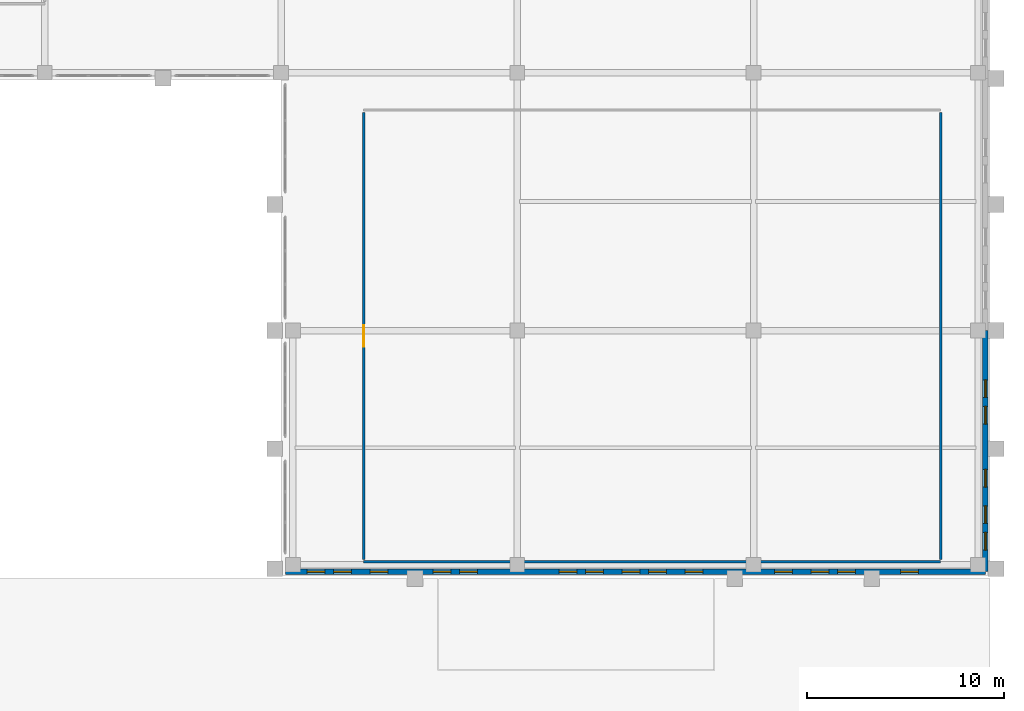
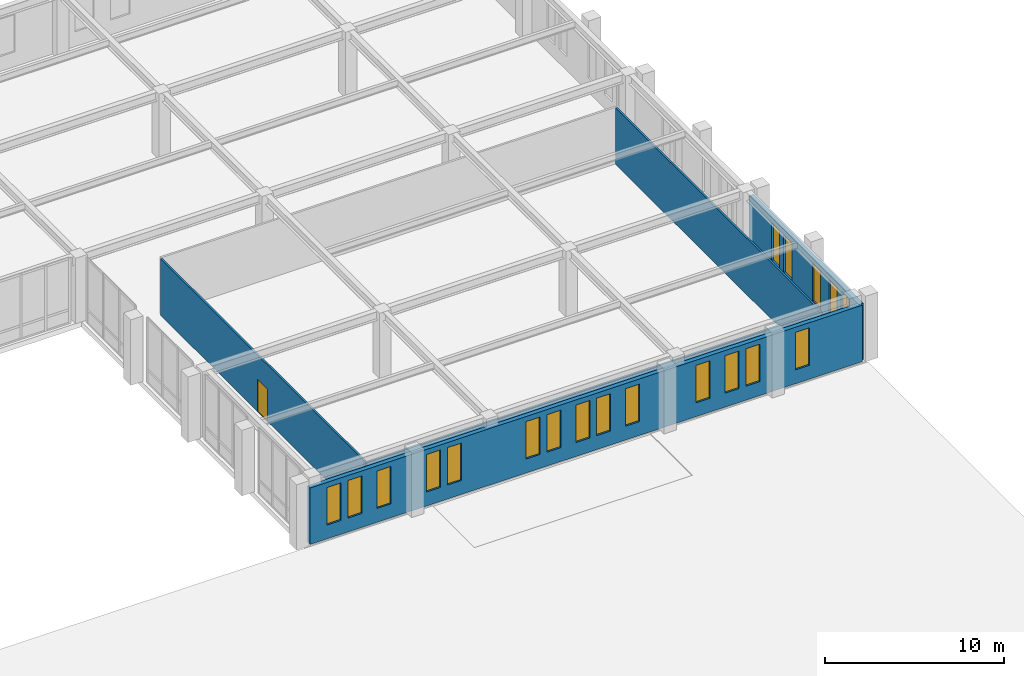
# One storey, part 63 of 79: 19 windows, 5 walls, 1 door, 20 openings.
"""IFC4 building model written with IfcOpenShell, lengths in metres."""

import ifcopenshell
import ifcopenshell.guid

model = None  # the IFC model being written
_history = None  # IfcOwnerHistory: only IFC2X3 demands one
_inside = {}  # id of a spatial element -> (the spatial element, [elements in it])
_under = {}  # id of a project, library or spatial element -> (it, [spatial elements below it])
_declared = {}  # id of a project -> (the project, [libraries it declares])
_typed = {}  # id of a type object -> (the type object, [elements of that type])
_made_of = {}  # id of a material, layer set ... -> (it, [elements and type objects made of it])


def new_model(schema):
    """Start an empty IFC model of exactly this schema.

    Asked for "IFC4X3", IfcOpenShell would pick the latest addendum, in which some entities
    have other attributes; the version numbers below select the first issue.
    IFC2X3 requires an IfcOwnerHistory on every rooted entity: one is made here for all.
    """
    global model, _history
    if schema == "IFC4X3":
        model = ifcopenshell.file(schema_version=(4, 3, 0, 0))
    else:
        model = ifcopenshell.file(schema=schema)
    _inside.clear()
    _under.clear()
    _declared.clear()
    _typed.clear()
    _made_of.clear()
    _history = None
    if model.schema == "IFC2X3":
        org = make("IfcOrganization", Name="unknown")
        user = make(
            "IfcPersonAndOrganization",
            ThePerson=make("IfcPerson", FamilyName="unknown"),
            TheOrganization=org,
        )
        app = make(
            "IfcApplication",
            ApplicationDeveloper=org,
            Version="unknown",
            ApplicationFullName="unknown",
            ApplicationIdentifier="unknown",
        )
        _history = make(
            "IfcOwnerHistory",
            OwningUser=user,
            OwningApplication=app,
            ChangeAction="ADDED",
            CreationDate=0,
        )
    return model


def make(cls, **values):
    """One entity of the class cls with the attributes given. An attribute that is None is left unset."""
    return model.create_entity(
        cls, **{name: value for name, value in values.items() if value is not None}
    )


def rooted(cls, **values):
    """An entity with a GlobalId (a new one), such as an element, a storey or a relation."""
    return make(cls, GlobalId=ifcopenshell.guid.new(), OwnerHistory=_history, **values)


def si_unit(unit_type, name, prefix=None):
    """IfcSIUnit, for example si_unit("LENGTHUNIT", "METRE", prefix="MILLI")."""
    return make("IfcSIUnit", UnitType=unit_type, Prefix=prefix, Name=name)


def derived_unit(unit_type, elements):
    """IfcDerivedUnit: a product of units, each with its exponent."""
    return make(
        "IfcDerivedUnit",
        Elements=[
            make("IfcDerivedUnitElement", Unit=unit, Exponent=power)
            for unit, power in elements
        ],
        UnitType=unit_type,
    )


def assignment(units):
    """IfcUnitAssignment: the units of a project."""
    return None if units is None else make("IfcUnitAssignment", Units=units)


def point(xyz):
    """IfcCartesianPoint."""
    return None if xyz is None else make("IfcCartesianPoint", Coordinates=xyz)


def direction(xyz):
    """IfcDirection."""
    return None if xyz is None else make("IfcDirection", DirectionRatios=xyz)


def frame(location, z_axis=None, x_axis=None):
    """IfcAxis2Placement3D, a coordinate frame: its origin and axes. An axis left out is left unset."""
    return make(
        "IfcAxis2Placement3D",
        Location=point(location),
        Axis=direction(z_axis),
        RefDirection=direction(x_axis),
    )


def frame_2d(location, x_axis=None):
    """IfcAxis2Placement2D, a coordinate frame in the plane: its origin and x axis."""
    return make(
        "IfcAxis2Placement2D", Location=point(location), RefDirection=direction(x_axis)
    )


def origin():
    """The frame at (0, 0, 0) with its axes left unset."""
    return frame((0.0, 0.0, 0.0))


def place(relative_to, where):
    """IfcLocalPlacement: puts the frame where relative to a parent placement (None: the world)."""
    return make(
        "IfcLocalPlacement", PlacementRelTo=relative_to, RelativePlacement=where
    )


def context(
    kind, dimensions, precision=None, world=None, true_north=None, identifier=None
):
    """IfcGeometricRepresentationContext, for example the 3D "Model" context."""
    return make(
        "IfcGeometricRepresentationContext",
        ContextIdentifier=identifier,
        ContextType=kind,
        CoordinateSpaceDimension=dimensions,
        Precision=precision,
        WorldCoordinateSystem=world,
        TrueNorth=true_north,
    )


def subcontext(parent, identifier, kind, view, scale=None):
    """IfcGeometricRepresentationSubContext, for example "Body" below "Model"."""
    return make(
        "IfcGeometricRepresentationSubContext",
        ContextIdentifier=identifier,
        ContextType=kind,
        ParentContext=parent,
        TargetScale=scale,
        TargetView=view,
    )


def project(units=None, contexts=None):
    """IfcProject with its units and contexts."""
    return rooted(
        "IfcProject",
        Name="project",
        RepresentationContexts=contexts,
        UnitsInContext=assignment(units),
    )


def spatial(cls, under=None, at=None, **own):
    """A site, building, storey or space (cls), placed at a placement, below another one or the project."""
    s = rooted(cls, ObjectPlacement=at, **own)
    if under is not None:
        _under.setdefault(under.id(), (under, []))[1].append(s)
    return s


def profile(cls, at=None, kind="AREA", **sizes):
    """A parametric profile (cls). Its sizes go by their IFC names, for example OverallWidth=200.0."""
    return make(cls, ProfileType=kind, Position=at, **sizes)


def rectangle(**sizes):
    """IfcRectangleProfileDef."""
    return profile("IfcRectangleProfileDef", **sizes)


def extrude(swept, where, along, depth):
    """IfcExtrudedAreaSolid: the profile swept, set in the frame where, extruded along a direction by depth."""
    return make(
        "IfcExtrudedAreaSolid",
        SweptArea=swept,
        Position=where,
        ExtrudedDirection=direction(along),
        Depth=depth,
    )


def shape(context_of_items, identifier, shape_type, items):
    """IfcShapeRepresentation: the items that make up one representation, for example the "Body"."""
    return make(
        "IfcShapeRepresentation",
        ContextOfItems=context_of_items,
        RepresentationIdentifier=identifier,
        RepresentationType=shape_type,
        Items=items,
    )


def material(Name=None, Category=None):
    """IfcMaterial."""
    return make("IfcMaterial", Name=Name, Category=Category)


def layer(
    of_material, thickness, ventilated=None, Name=None, Category=None, Priority=None
):
    """IfcMaterialLayer: one layer of a wall or slab, of a material (None: an air gap)."""
    return make(
        "IfcMaterialLayer",
        Material=of_material,
        LayerThickness=thickness,
        IsVentilated=ventilated,
        Name=Name,
        Category=Category,
        Priority=Priority,
    )


def layer_set(layers, Name=None):
    """IfcMaterialLayerSet."""
    return make("IfcMaterialLayerSet", MaterialLayers=layers, LayerSetName=Name)


def made_of(thing, what):
    """Note that an element or type object is made of a material, layer set ...; save() writes the relation."""
    if what is not None:
        _made_of.setdefault(what.id(), (what, []))[1].append(thing)
    return thing


def type_object(cls, material=None, **own):
    """A type object (cls), such as IfcWallType, which elements share."""
    return made_of(rooted(cls, **own), material)


def element(
    cls,
    number,
    at=None,
    inside=None,
    cuts=None,
    type_object=None,
    material=None,
    context=None,
    identifier="Body",
    shape_type=None,
    held_by="IfcProductDefinitionShape",
    body=None,
    shapes=None,
    **own,
):
    """One element of the class cls, such as IfcWall. Its Tag is "e" and its number.

    at: its placement. inside: the storey or other place that contains it. cuts: it is an
    opening in that element (IfcRelVoidsElement). A single representation is given by context,
    identifier, shape_type and body (its items); several are given by shapes. held_by: the class
    of the entity that holds the representations. save() writes the other relations.
    """
    e = rooted(cls, Tag="e%d" % number, ObjectPlacement=at, **own)
    if body is not None:
        shapes = [shape(context, identifier, shape_type, body)]
    if shapes is not None:
        e.Representation = make(held_by, Representations=shapes)
    if inside is not None:
        _inside.setdefault(inside.id(), (inside, []))[1].append(e)
    if cuts is not None:
        rooted(
            "IfcRelVoidsElement", RelatingBuildingElement=cuts, RelatedOpeningElement=e
        )
    if type_object is not None:
        _typed.setdefault(type_object.id(), (type_object, []))[1].append(e)
    return made_of(e, material)


def fill(opening, filler):
    """IfcRelFillsElement: the door or window that sits in an opening."""
    return rooted(
        "IfcRelFillsElement",
        RelatingOpeningElement=opening,
        RelatedBuildingElement=filler,
    )


def aggregate(whole, parts):
    """IfcRelAggregates: a whole, such as a stair, and the parts it consists of."""
    return rooted("IfcRelAggregates", RelatingObject=whole, RelatedObjects=parts)


def save(model, path):
    """Write the relations noted so far, then the file.

    IfcRelAggregates (storeys below a building ...), IfcRelContainedInSpatialStructure (elements
    in a storey), IfcRelDefinesByType, IfcRelAssociatesMaterial and IfcRelDeclares: one each for
    every whole, place, type object, material and project.
    """
    for whole, parts in _under.values():
        aggregate(whole, parts)
    for where, things in _inside.values():
        rooted(
            "IfcRelContainedInSpatialStructure",
            RelatedElements=things,
            RelatingStructure=where,
        )
    for kind, things in _typed.values():
        rooted("IfcRelDefinesByType", RelatedObjects=things, RelatingType=kind)
    for what, things in _made_of.values():
        rooted("IfcRelAssociatesMaterial", RelatedObjects=things, RelatingMaterial=what)
    for by, libraries in _declared.values():
        rooted("IfcRelDeclares", RelatingContext=by, RelatedDefinitions=libraries)
    model.write(path)


model = new_model("IFC4")

# Units and contexts
model_context = context("Model", 3, precision=1e-05, world=origin(), true_north=direction((0.0, 1.0)))
body_context = subcontext(model_context, "Body", "Model", "MODEL_VIEW")
ifc_project = project(units=[si_unit("LENGTHUNIT", "METRE"), si_unit("AREAUNIT", "SQUARE_METRE"), si_unit("VOLUMEUNIT", "CUBIC_METRE"), si_unit("PLANEANGLEUNIT", "RADIAN"), si_unit("MASSUNIT", "GRAM", prefix="KILO"), derived_unit("THERMALTRANSMITTANCEUNIT", [(si_unit("MASSUNIT", "GRAM", prefix="KILO"), 1), (si_unit("TIMEUNIT", "SECOND"), -3), (si_unit("THERMODYNAMICTEMPERATUREUNIT", "KELVIN"), -1)])], contexts=[model_context])

# Site, building, storey
site_placement = place(None, origin())
site = spatial("IfcSite", under=ifc_project, at=site_placement, CompositionType="ELEMENT")
building_placement = place(site_placement, origin())
building = spatial("IfcBuilding", under=site, at=building_placement, Name="Valcora Ridge Arena", CompositionType="ELEMENT")
storey_placement = place(building_placement, frame((0.0, 0.0, 16.199951171875)))
storey = spatial("IfcBuildingStorey", under=building, at=storey_placement, Name="L03", CompositionType="ELEMENT", Elevation=16.199951171875)

# Wall, openings, windows
ifc_material_1 = material(Name="Bush-hammered Andean travertine on concrete backup C40/50", Category="masonry")
ifc_layer_1 = layer(ifc_material_1, 0.280029296875, Name="Bush-hammered Andean travertine on concrete backup C40/50")
ifc_layer_set_1 = layer_set([ifc_layer_1], Name="Bush-hammered Andean travertine on concrete backup C40/50")
wall_type_1 = type_object("IfcWallType", Name="TY-WALL-EW-TRV-28-38", PredefinedType="STANDARD", material=ifc_layer_set_1)
wall_1_placement = place(storey_placement, frame((191.780029296875, 83.35009765625, 0.0), z_axis=(0.0, 0.0, 1.0), x_axis=(0.0, 1.0, 0.0)))
wall_1 = element("IfcWall", 1, at=wall_1_placement, inside=storey, type_object=wall_type_1, Name="EW-TRV-28-38 WAL-EW-0208", PredefinedType="STANDARD", context=body_context, shape_type="SweptSolid", body=[
    extrude(rectangle(XDim=12.25, YDim=0.280029296875, at=frame_2d((6.125, 0.0))), origin(), (0.0, 0.0, 1.0), 3.84814453125),
])
opening_1_placement = place(wall_1_placement, frame((1.10009765625, 0.0, 0.949951171875)))
opening_1 = element("IfcOpeningElement", 2, at=opening_1_placement, cuts=wall_1, Name="Opening W-GLAN-90X255", PredefinedType="OPENING", context=body_context, shape_type="SweptSolid", body=[
    extrude(rectangle(XDim=0.89990234375, YDim=2.550048828125, at=frame_2d((0.449951171875, 1.27490234375))), frame((0.0, 0.14990234375, 0.0), z_axis=(0.0, -1.0, 0.0), x_axis=(1.0, 0.0, 0.0)), (0.0, 0.0, 1.0), 0.300048828125),
])
opening_2_placement = place(wall_1_placement, frame((2.449951171875, 0.0, 0.949951171875)))
opening_2 = element("IfcOpeningElement", 3, at=opening_2_placement, cuts=wall_1, Name="Opening W-GLAN-90X255", PredefinedType="OPENING", context=body_context, shape_type="SweptSolid", body=[
    extrude(rectangle(XDim=0.89990234375, YDim=2.550048828125, at=frame_2d((0.449951171875, 1.27490234375))), frame((0.0, 0.14990234375, 0.0), z_axis=(0.0, -1.0, 0.0), x_axis=(1.0, 0.0, 0.0)), (0.0, 0.0, 1.0), 0.300048828125),
])
opening_3_placement = place(wall_1_placement, frame((4.300048828125, 0.0, 0.949951171875)))
opening_3 = element("IfcOpeningElement", 4, at=opening_3_placement, cuts=wall_1, Name="Opening W-GLAN-90X255", PredefinedType="OPENING", context=body_context, shape_type="SweptSolid", body=[
    extrude(rectangle(XDim=0.89990234375, YDim=2.550048828125, at=frame_2d((0.449951171875, 1.27490234375))), frame((0.0, 0.14990234375, 0.0), z_axis=(0.0, -1.0, 0.0), x_axis=(1.0, 0.0, 0.0)), (0.0, 0.0, 1.0), 0.300048828125),
])
opening_4_placement = place(wall_1_placement, frame((7.5, 0.0, 0.949951171875)))
opening_4 = element("IfcOpeningElement", 5, at=opening_4_placement, cuts=wall_1, Name="Opening W-GLAN-90X255", PredefinedType="OPENING", context=body_context, shape_type="SweptSolid", body=[
    extrude(rectangle(XDim=0.89990234375, YDim=2.550048828125, at=frame_2d((0.449951171875, 1.27490234375))), frame((0.0, 0.14990234375, 0.0), z_axis=(0.0, -1.0, 0.0), x_axis=(1.0, 0.0, 0.0)), (0.0, 0.0, 1.0), 0.300048828125),
])
opening_5_placement = place(wall_1_placement, frame((8.85009765625, 0.0, 0.949951171875)))
opening_5 = element("IfcOpeningElement", 6, at=opening_5_placement, cuts=wall_1, Name="Opening W-GLAN-90X255", PredefinedType="OPENING", context=body_context, shape_type="SweptSolid", body=[
    extrude(rectangle(XDim=0.89990234375, YDim=2.550048828125, at=frame_2d((0.449951171875, 1.27490234375))), frame((0.0, 0.14990234375, 0.0), z_axis=(0.0, -1.0, 0.0), x_axis=(1.0, 0.0, 0.0)), (0.0, 0.0, 1.0), 0.300048828125),
])
ifc_material_2 = material(Name="Low-iron solar-control double glazing SHGC 0.28", Category="glass")
window_type = type_object("IfcWindowType", Name="TY-WINDOW-W-GLAN-90X255", PartitioningType="DOUBLE_PANEL_VERTICAL", PredefinedType="WINDOW", material=ifc_material_2)
window_1_placement = place(opening_1_placement, origin())
window_1 = element("IfcWindow", 7, at=window_1_placement, inside=storey, type_object=window_type, Name="W-GLAN-90X255 WIN-EX-0627", OverallHeight=2.550048828125, OverallWidth=0.89990234375, PartitioningType="DOUBLE_PANEL_VERTICAL", PredefinedType="WINDOW", context=body_context, shape_type="SweptSolid", body=[
    extrude(rectangle(XDim=0.89990234375, YDim=2.550048828125, at=frame_2d((0.449951171875, 1.27490234375))), frame((0.0, 0.030029296875, 0.0), z_axis=(0.0, -1.0, 0.0), x_axis=(1.0, 0.0, 0.0)), (0.0, 0.0, 1.0), 0.06005859375),
])
fill(opening_1, window_1)
window_2_placement = place(opening_2_placement, origin())
window_2 = element("IfcWindow", 8, at=window_2_placement, inside=storey, type_object=window_type, Name="W-GLAN-90X255 WIN-EX-0628", OverallHeight=2.550048828125, OverallWidth=0.89990234375, PartitioningType="DOUBLE_PANEL_VERTICAL", PredefinedType="WINDOW", context=body_context, shape_type="SweptSolid", body=[
    extrude(rectangle(XDim=0.89990234375, YDim=2.550048828125, at=frame_2d((0.449951171875, 1.27490234375))), frame((0.0, 0.030029296875, 0.0), z_axis=(0.0, -1.0, 0.0), x_axis=(1.0, 0.0, 0.0)), (0.0, 0.0, 1.0), 0.06005859375),
])
fill(opening_2, window_2)
window_3_placement = place(opening_3_placement, origin())
window_3 = element("IfcWindow", 9, at=window_3_placement, inside=storey, type_object=window_type, Name="W-GLAN-90X255 WIN-EX-0629", OverallHeight=2.550048828125, OverallWidth=0.89990234375, PartitioningType="DOUBLE_PANEL_VERTICAL", PredefinedType="WINDOW", context=body_context, shape_type="SweptSolid", body=[
    extrude(rectangle(XDim=0.89990234375, YDim=2.550048828125, at=frame_2d((0.449951171875, 1.27490234375))), frame((0.0, 0.030029296875, 0.0), z_axis=(0.0, -1.0, 0.0), x_axis=(1.0, 0.0, 0.0)), (0.0, 0.0, 1.0), 0.06005859375),
])
fill(opening_3, window_3)
window_4_placement = place(opening_4_placement, origin())
window_4 = element("IfcWindow", 10, at=window_4_placement, inside=storey, type_object=window_type, Name="W-GLAN-90X255 WIN-EX-0630", OverallHeight=2.550048828125, OverallWidth=0.89990234375, PartitioningType="DOUBLE_PANEL_VERTICAL", PredefinedType="WINDOW", context=body_context, shape_type="SweptSolid", body=[
    extrude(rectangle(XDim=0.89990234375, YDim=2.550048828125, at=frame_2d((0.449951171875, 1.27490234375))), frame((0.0, 0.030029296875, 0.0), z_axis=(0.0, -1.0, 0.0), x_axis=(1.0, 0.0, 0.0)), (0.0, 0.0, 1.0), 0.06005859375),
])
fill(opening_4, window_4)
window_5_placement = place(opening_5_placement, origin())
window_5 = element("IfcWindow", 11, at=window_5_placement, inside=storey, type_object=window_type, Name="W-GLAN-90X255 WIN-EX-0631", OverallHeight=2.550048828125, OverallWidth=0.89990234375, PartitioningType="DOUBLE_PANEL_VERTICAL", PredefinedType="WINDOW", context=body_context, shape_type="SweptSolid", body=[
    extrude(rectangle(XDim=0.89990234375, YDim=2.550048828125, at=frame_2d((0.449951171875, 1.27490234375))), frame((0.0, 0.030029296875, 0.0), z_axis=(0.0, -1.0, 0.0), x_axis=(1.0, 0.0, 0.0)), (0.0, 0.0, 1.0), 0.06005859375),
])
fill(opening_5, window_5)

wall_2_placement = place(storey_placement, frame((156.219970703125, 83.35009765625, 0.0), z_axis=(0.0, 0.0, 1.0), x_axis=(1.0, 0.0, 0.0)))
wall_2 = element("IfcWall", 12, at=wall_2_placement, inside=storey, type_object=wall_type_1, Name="EW-TRV-28-38 WAL-EW-0221", PredefinedType="STANDARD", context=body_context, shape_type="SweptSolid", body=[
    extrude(rectangle(XDim=35.56005859375, YDim=0.280029296875, at=frame_2d((17.780029296875, 0.0))), origin(), (0.0, 0.0, 1.0), 3.84814453125),
])
opening_6_placement = place(wall_2_placement, frame((1.10009765625, 0.0, 0.949951171875)))
opening_6 = element("IfcOpeningElement", 13, at=opening_6_placement, cuts=wall_2, Name="Opening W-GLAN-90X255", PredefinedType="OPENING", context=body_context, shape_type="SweptSolid", body=[
    extrude(rectangle(XDim=0.89990234375, YDim=2.550048828125, at=frame_2d((0.449951171875, 1.27490234375))), frame((0.0, 0.14990234375, 0.0), z_axis=(0.0, -1.0, 0.0), x_axis=(1.0, 0.0, 0.0)), (0.0, 0.0, 1.0), 0.300048828125),
])
opening_7_placement = place(wall_2_placement, frame((2.449951171875, 0.0, 0.949951171875)))
opening_7 = element("IfcOpeningElement", 14, at=opening_7_placement, cuts=wall_2, Name="Opening W-GLAN-90X255", PredefinedType="OPENING", context=body_context, shape_type="SweptSolid", body=[
    extrude(rectangle(XDim=0.89990234375, YDim=2.550048828125, at=frame_2d((0.449951171875, 1.27490234375))), frame((0.0, 0.14990234375, 0.0), z_axis=(0.0, -1.0, 0.0), x_axis=(1.0, 0.0, 0.0)), (0.0, 0.0, 1.0), 0.300048828125),
])
opening_8_placement = place(wall_2_placement, frame((4.300048828125, 0.0, 0.949951171875)))
opening_8 = element("IfcOpeningElement", 15, at=opening_8_placement, cuts=wall_2, Name="Opening W-GLAN-90X255", PredefinedType="OPENING", context=body_context, shape_type="SweptSolid", body=[
    extrude(rectangle(XDim=0.89990234375, YDim=2.550048828125, at=frame_2d((0.449951171875, 1.27490234375))), frame((0.0, 0.14990234375, 0.0), z_axis=(0.0, -1.0, 0.0), x_axis=(1.0, 0.0, 0.0)), (0.0, 0.0, 1.0), 0.300048828125),
])
opening_9_placement = place(wall_2_placement, frame((7.5, 0.0, 0.949951171875)))
opening_9 = element("IfcOpeningElement", 16, at=opening_9_placement, cuts=wall_2, Name="Opening W-GLAN-90X255", PredefinedType="OPENING", context=body_context, shape_type="SweptSolid", body=[
    extrude(rectangle(XDim=0.89990234375, YDim=2.550048828125, at=frame_2d((0.449951171875, 1.27490234375))), frame((0.0, 0.14990234375, 0.0), z_axis=(0.0, -1.0, 0.0), x_axis=(1.0, 0.0, 0.0)), (0.0, 0.0, 1.0), 0.300048828125),
])
opening_10_placement = place(wall_2_placement, frame((8.85009765625, 0.0, 0.949951171875)))
opening_10 = element("IfcOpeningElement", 17, at=opening_10_placement, cuts=wall_2, Name="Opening W-GLAN-90X255", PredefinedType="OPENING", context=body_context, shape_type="SweptSolid", body=[
    extrude(rectangle(XDim=0.89990234375, YDim=2.550048828125, at=frame_2d((0.449951171875, 1.27490234375))), frame((0.0, 0.14990234375, 0.0), z_axis=(0.0, -1.0, 0.0), x_axis=(1.0, 0.0, 0.0)), (0.0, 0.0, 1.0), 0.300048828125),
])
opening_11_placement = place(wall_2_placement, frame((13.89990234375, 0.0, 0.949951171875)))
opening_11 = element("IfcOpeningElement", 18, at=opening_11_placement, cuts=wall_2, Name="Opening W-GLAN-90X255", PredefinedType="OPENING", context=body_context, shape_type="SweptSolid", body=[
    extrude(rectangle(XDim=0.89990234375, YDim=2.550048828125, at=frame_2d((0.449951171875, 1.27490234375))), frame((0.0, 0.14990234375, 0.0), z_axis=(0.0, -1.0, 0.0), x_axis=(1.0, 0.0, 0.0)), (0.0, 0.0, 1.0), 0.300048828125),
])
opening_12_placement = place(wall_2_placement, frame((15.25, 0.0, 0.949951171875)))
opening_12 = element("IfcOpeningElement", 19, at=opening_12_placement, cuts=wall_2, Name="Opening W-GLAN-90X255", PredefinedType="OPENING", context=body_context, shape_type="SweptSolid", body=[
    extrude(rectangle(XDim=0.89990234375, YDim=2.550048828125, at=frame_2d((0.449951171875, 1.27490234375))), frame((0.0, 0.14990234375, 0.0), z_axis=(0.0, -1.0, 0.0), x_axis=(1.0, 0.0, 0.0)), (0.0, 0.0, 1.0), 0.300048828125),
])
opening_13_placement = place(wall_2_placement, frame((17.10009765625, 0.0, 0.949951171875)))
opening_13 = element("IfcOpeningElement", 20, at=opening_13_placement, cuts=wall_2, Name="Opening W-GLAN-90X255", PredefinedType="OPENING", context=body_context, shape_type="SweptSolid", body=[
    extrude(rectangle(XDim=0.89990234375, YDim=2.550048828125, at=frame_2d((0.449951171875, 1.27490234375))), frame((0.0, 0.14990234375, 0.0), z_axis=(0.0, -1.0, 0.0), x_axis=(1.0, 0.0, 0.0)), (0.0, 0.0, 1.0), 0.300048828125),
])
opening_14_placement = place(wall_2_placement, frame((18.449951171875, 0.0, 0.949951171875)))
opening_14 = element("IfcOpeningElement", 21, at=opening_14_placement, cuts=wall_2, Name="Opening W-GLAN-90X255", PredefinedType="OPENING", context=body_context, shape_type="SweptSolid", body=[
    extrude(rectangle(XDim=0.89990234375, YDim=2.550048828125, at=frame_2d((0.449951171875, 1.27490234375))), frame((0.0, 0.14990234375, 0.0), z_axis=(0.0, -1.0, 0.0), x_axis=(1.0, 0.0, 0.0)), (0.0, 0.0, 1.0), 0.300048828125),
])
opening_15_placement = place(wall_2_placement, frame((20.300048828125, 0.0, 0.949951171875)))
opening_15 = element("IfcOpeningElement", 22, at=opening_15_placement, cuts=wall_2, Name="Opening W-GLAN-90X255", PredefinedType="OPENING", context=body_context, shape_type="SweptSolid", body=[
    extrude(rectangle(XDim=0.89990234375, YDim=2.550048828125, at=frame_2d((0.449951171875, 1.27490234375))), frame((0.0, 0.14990234375, 0.0), z_axis=(0.0, -1.0, 0.0), x_axis=(1.0, 0.0, 0.0)), (0.0, 0.0, 1.0), 0.300048828125),
])
opening_16_placement = place(wall_2_placement, frame((24.85009765625, 0.0, 0.949951171875)))
opening_16 = element("IfcOpeningElement", 23, at=opening_16_placement, cuts=wall_2, Name="Opening W-GLAN-90X255", PredefinedType="OPENING", context=body_context, shape_type="SweptSolid", body=[
    extrude(rectangle(XDim=0.89990234375, YDim=2.550048828125, at=frame_2d((0.449951171875, 1.27490234375))), frame((0.0, 0.14990234375, 0.0), z_axis=(0.0, -1.0, 0.0), x_axis=(1.0, 0.0, 0.0)), (0.0, 0.0, 1.0), 0.300048828125),
])
opening_17_placement = place(wall_2_placement, frame((26.699951171875, 0.0, 0.949951171875)))
opening_17 = element("IfcOpeningElement", 24, at=opening_17_placement, cuts=wall_2, Name="Opening W-GLAN-90X255", PredefinedType="OPENING", context=body_context, shape_type="SweptSolid", body=[
    extrude(rectangle(XDim=0.89990234375, YDim=2.550048828125, at=frame_2d((0.449951171875, 1.27490234375))), frame((0.0, 0.14990234375, 0.0), z_axis=(0.0, -1.0, 0.0), x_axis=(1.0, 0.0, 0.0)), (0.0, 0.0, 1.0), 0.300048828125),
])
opening_18_placement = place(wall_2_placement, frame((28.050048828125, 0.0, 0.949951171875)))
opening_18 = element("IfcOpeningElement", 25, at=opening_18_placement, cuts=wall_2, Name="Opening W-GLAN-90X255", PredefinedType="OPENING", context=body_context, shape_type="SweptSolid", body=[
    extrude(rectangle(XDim=0.89990234375, YDim=2.550048828125, at=frame_2d((0.449951171875, 1.27490234375))), frame((0.0, 0.14990234375, 0.0), z_axis=(0.0, -1.0, 0.0), x_axis=(1.0, 0.0, 0.0)), (0.0, 0.0, 1.0), 0.300048828125),
])
opening_19_placement = place(wall_2_placement, frame((31.25, 0.0, 0.949951171875)))
opening_19 = element("IfcOpeningElement", 26, at=opening_19_placement, cuts=wall_2, Name="Opening W-GLAN-90X255", PredefinedType="OPENING", context=body_context, shape_type="SweptSolid", body=[
    extrude(rectangle(XDim=0.89990234375, YDim=2.550048828125, at=frame_2d((0.449951171875, 1.27490234375))), frame((0.0, 0.14990234375, 0.0), z_axis=(0.0, -1.0, 0.0), x_axis=(1.0, 0.0, 0.0)), (0.0, 0.0, 1.0), 0.300048828125),
])
window_6_placement = place(opening_6_placement, origin())
window_6 = element("IfcWindow", 27, at=window_6_placement, inside=storey, type_object=window_type, Name="W-GLAN-90X255 WIN-EX-0665", OverallHeight=2.550048828125, OverallWidth=0.89990234375, PartitioningType="DOUBLE_PANEL_VERTICAL", PredefinedType="WINDOW", context=body_context, shape_type="SweptSolid", body=[
    extrude(rectangle(XDim=0.89990234375, YDim=2.550048828125, at=frame_2d((0.449951171875, 1.27490234375))), frame((0.0, 0.030029296875, 0.0), z_axis=(0.0, -1.0, 0.0), x_axis=(1.0, 0.0, 0.0)), (0.0, 0.0, 1.0), 0.06005859375),
])
fill(opening_6, window_6)
window_7_placement = place(opening_7_placement, origin())
window_7 = element("IfcWindow", 28, at=window_7_placement, inside=storey, type_object=window_type, Name="W-GLAN-90X255 WIN-EX-0666", OverallHeight=2.550048828125, OverallWidth=0.89990234375, PartitioningType="DOUBLE_PANEL_VERTICAL", PredefinedType="WINDOW", context=body_context, shape_type="SweptSolid", body=[
    extrude(rectangle(XDim=0.89990234375, YDim=2.550048828125, at=frame_2d((0.449951171875, 1.27490234375))), frame((0.0, 0.030029296875, 0.0), z_axis=(0.0, -1.0, 0.0), x_axis=(1.0, 0.0, 0.0)), (0.0, 0.0, 1.0), 0.06005859375),
])
fill(opening_7, window_7)
window_8_placement = place(opening_8_placement, origin())
window_8 = element("IfcWindow", 29, at=window_8_placement, inside=storey, type_object=window_type, Name="W-GLAN-90X255 WIN-EX-0667", OverallHeight=2.550048828125, OverallWidth=0.89990234375, PartitioningType="DOUBLE_PANEL_VERTICAL", PredefinedType="WINDOW", context=body_context, shape_type="SweptSolid", body=[
    extrude(rectangle(XDim=0.89990234375, YDim=2.550048828125, at=frame_2d((0.449951171875, 1.27490234375))), frame((0.0, 0.030029296875, 0.0), z_axis=(0.0, -1.0, 0.0), x_axis=(1.0, 0.0, 0.0)), (0.0, 0.0, 1.0), 0.06005859375),
])
fill(opening_8, window_8)
window_9_placement = place(opening_9_placement, origin())
window_9 = element("IfcWindow", 30, at=window_9_placement, inside=storey, type_object=window_type, Name="W-GLAN-90X255 WIN-EX-0668", OverallHeight=2.550048828125, OverallWidth=0.89990234375, PartitioningType="DOUBLE_PANEL_VERTICAL", PredefinedType="WINDOW", context=body_context, shape_type="SweptSolid", body=[
    extrude(rectangle(XDim=0.89990234375, YDim=2.550048828125, at=frame_2d((0.449951171875, 1.27490234375))), frame((0.0, 0.030029296875, 0.0), z_axis=(0.0, -1.0, 0.0), x_axis=(1.0, 0.0, 0.0)), (0.0, 0.0, 1.0), 0.06005859375),
])
fill(opening_9, window_9)
window_10_placement = place(opening_10_placement, origin())
window_10 = element("IfcWindow", 31, at=window_10_placement, inside=storey, type_object=window_type, Name="W-GLAN-90X255 WIN-EX-0669", OverallHeight=2.550048828125, OverallWidth=0.89990234375, PartitioningType="DOUBLE_PANEL_VERTICAL", PredefinedType="WINDOW", context=body_context, shape_type="SweptSolid", body=[
    extrude(rectangle(XDim=0.89990234375, YDim=2.550048828125, at=frame_2d((0.449951171875, 1.27490234375))), frame((0.0, 0.030029296875, 0.0), z_axis=(0.0, -1.0, 0.0), x_axis=(1.0, 0.0, 0.0)), (0.0, 0.0, 1.0), 0.06005859375),
])
fill(opening_10, window_10)
window_11_placement = place(opening_11_placement, origin())
window_11 = element("IfcWindow", 32, at=window_11_placement, inside=storey, type_object=window_type, Name="W-GLAN-90X255 WIN-EX-0670", OverallHeight=2.550048828125, OverallWidth=0.89990234375, PartitioningType="DOUBLE_PANEL_VERTICAL", PredefinedType="WINDOW", context=body_context, shape_type="SweptSolid", body=[
    extrude(rectangle(XDim=0.89990234375, YDim=2.550048828125, at=frame_2d((0.449951171875, 1.27490234375))), frame((0.0, 0.030029296875, 0.0), z_axis=(0.0, -1.0, 0.0), x_axis=(1.0, 0.0, 0.0)), (0.0, 0.0, 1.0), 0.06005859375),
])
fill(opening_11, window_11)
window_12_placement = place(opening_12_placement, origin())
window_12 = element("IfcWindow", 33, at=window_12_placement, inside=storey, type_object=window_type, Name="W-GLAN-90X255 WIN-EX-0671", OverallHeight=2.550048828125, OverallWidth=0.89990234375, PartitioningType="DOUBLE_PANEL_VERTICAL", PredefinedType="WINDOW", context=body_context, shape_type="SweptSolid", body=[
    extrude(rectangle(XDim=0.89990234375, YDim=2.550048828125, at=frame_2d((0.449951171875, 1.27490234375))), frame((0.0, 0.030029296875, 0.0), z_axis=(0.0, -1.0, 0.0), x_axis=(1.0, 0.0, 0.0)), (0.0, 0.0, 1.0), 0.06005859375),
])
fill(opening_12, window_12)
window_13_placement = place(opening_13_placement, origin())
window_13 = element("IfcWindow", 34, at=window_13_placement, inside=storey, type_object=window_type, Name="W-GLAN-90X255 WIN-EX-0672", OverallHeight=2.550048828125, OverallWidth=0.89990234375, PartitioningType="DOUBLE_PANEL_VERTICAL", PredefinedType="WINDOW", context=body_context, shape_type="SweptSolid", body=[
    extrude(rectangle(XDim=0.89990234375, YDim=2.550048828125, at=frame_2d((0.449951171875, 1.27490234375))), frame((0.0, 0.030029296875, 0.0), z_axis=(0.0, -1.0, 0.0), x_axis=(1.0, 0.0, 0.0)), (0.0, 0.0, 1.0), 0.06005859375),
])
fill(opening_13, window_13)
window_14_placement = place(opening_14_placement, origin())
window_14 = element("IfcWindow", 35, at=window_14_placement, inside=storey, type_object=window_type, Name="W-GLAN-90X255 WIN-EX-0673", OverallHeight=2.550048828125, OverallWidth=0.89990234375, PartitioningType="DOUBLE_PANEL_VERTICAL", PredefinedType="WINDOW", context=body_context, shape_type="SweptSolid", body=[
    extrude(rectangle(XDim=0.89990234375, YDim=2.550048828125, at=frame_2d((0.449951171875, 1.27490234375))), frame((0.0, 0.030029296875, 0.0), z_axis=(0.0, -1.0, 0.0), x_axis=(1.0, 0.0, 0.0)), (0.0, 0.0, 1.0), 0.06005859375),
])
fill(opening_14, window_14)
window_15_placement = place(opening_15_placement, origin())
window_15 = element("IfcWindow", 36, at=window_15_placement, inside=storey, type_object=window_type, Name="W-GLAN-90X255 WIN-EX-0674", OverallHeight=2.550048828125, OverallWidth=0.89990234375, PartitioningType="DOUBLE_PANEL_VERTICAL", PredefinedType="WINDOW", context=body_context, shape_type="SweptSolid", body=[
    extrude(rectangle(XDim=0.89990234375, YDim=2.550048828125, at=frame_2d((0.449951171875, 1.27490234375))), frame((0.0, 0.030029296875, 0.0), z_axis=(0.0, -1.0, 0.0), x_axis=(1.0, 0.0, 0.0)), (0.0, 0.0, 1.0), 0.06005859375),
])
fill(opening_15, window_15)
window_16_placement = place(opening_16_placement, origin())
window_16 = element("IfcWindow", 37, at=window_16_placement, inside=storey, type_object=window_type, Name="W-GLAN-90X255 WIN-EX-0675", OverallHeight=2.550048828125, OverallWidth=0.89990234375, PartitioningType="DOUBLE_PANEL_VERTICAL", PredefinedType="WINDOW", context=body_context, shape_type="SweptSolid", body=[
    extrude(rectangle(XDim=0.89990234375, YDim=2.550048828125, at=frame_2d((0.449951171875, 1.27490234375))), frame((0.0, 0.030029296875, 0.0), z_axis=(0.0, -1.0, 0.0), x_axis=(1.0, 0.0, 0.0)), (0.0, 0.0, 1.0), 0.06005859375),
])
fill(opening_16, window_16)
window_17_placement = place(opening_17_placement, origin())
window_17 = element("IfcWindow", 38, at=window_17_placement, inside=storey, type_object=window_type, Name="W-GLAN-90X255 WIN-EX-0676", OverallHeight=2.550048828125, OverallWidth=0.89990234375, PartitioningType="DOUBLE_PANEL_VERTICAL", PredefinedType="WINDOW", context=body_context, shape_type="SweptSolid", body=[
    extrude(rectangle(XDim=0.89990234375, YDim=2.550048828125, at=frame_2d((0.449951171875, 1.27490234375))), frame((0.0, 0.030029296875, 0.0), z_axis=(0.0, -1.0, 0.0), x_axis=(1.0, 0.0, 0.0)), (0.0, 0.0, 1.0), 0.06005859375),
])
fill(opening_17, window_17)
window_18_placement = place(opening_18_placement, origin())
window_18 = element("IfcWindow", 39, at=window_18_placement, inside=storey, type_object=window_type, Name="W-GLAN-90X255 WIN-EX-0677", OverallHeight=2.550048828125, OverallWidth=0.89990234375, PartitioningType="DOUBLE_PANEL_VERTICAL", PredefinedType="WINDOW", context=body_context, shape_type="SweptSolid", body=[
    extrude(rectangle(XDim=0.89990234375, YDim=2.550048828125, at=frame_2d((0.449951171875, 1.27490234375))), frame((0.0, 0.030029296875, 0.0), z_axis=(0.0, -1.0, 0.0), x_axis=(1.0, 0.0, 0.0)), (0.0, 0.0, 1.0), 0.06005859375),
])
fill(opening_18, window_18)
window_19_placement = place(opening_19_placement, origin())
window_19 = element("IfcWindow", 40, at=window_19_placement, inside=storey, type_object=window_type, Name="W-GLAN-90X255 WIN-EX-0678", OverallHeight=2.550048828125, OverallWidth=0.89990234375, PartitioningType="DOUBLE_PANEL_VERTICAL", PredefinedType="WINDOW", context=body_context, shape_type="SweptSolid", body=[
    extrude(rectangle(XDim=0.89990234375, YDim=2.550048828125, at=frame_2d((0.449951171875, 1.27490234375))), frame((0.0, 0.030029296875, 0.0), z_axis=(0.0, -1.0, 0.0), x_axis=(1.0, 0.0, 0.0)), (0.0, 0.0, 1.0), 0.06005859375),
])
fill(opening_19, window_19)

# Wall
ifc_material_3 = material(Name="Acoustic metal-stud gypsum partition 120 mm")
ifc_layer_2 = layer(ifc_material_3, 0.1201171875, Name="Acoustic metal-stud gypsum partition 120 mm")
ifc_layer_set_2 = layer_set([ifc_layer_2], Name="Acoustic metal-stud gypsum partition 120 mm")
wall_type_2 = type_object("IfcWallType", Name="TY-WALL-IW-PART-120", PredefinedType="PARTITIONING", material=ifc_layer_set_2)
wall_3_placement = place(storey_placement, frame((160.199951171875, 83.85009765625, 0.0), z_axis=(0.0, 0.0, 1.0), x_axis=(1.0, 0.0, 0.0)))
element("IfcWall", 41, at=wall_3_placement, inside=storey, type_object=wall_type_2, Name="IW-PART-120 WAL-IN-0451", PredefinedType="PARTITIONING", context=body_context, shape_type="SweptSolid", body=[
    extrude(rectangle(XDim=29.300048828125, YDim=0.1201171875, at=frame_2d((14.64990234375, 0.0))), origin(), (0.0, 0.0, 1.0), 3.84814453125),
])

# Wall, opening, door
wall_4_placement = place(storey_placement, frame((160.199951171875, 83.969970703125, 0.0), z_axis=(0.0, 0.0, 1.0), x_axis=(0.0, 1.0, 0.0)))
wall_4 = element("IfcWall", 42, at=wall_4_placement, inside=storey, type_object=wall_type_2, Name="IW-PART-120 WAL-IN-0453", PredefinedType="PARTITIONING", context=body_context, shape_type="SweptSolid", body=[
    extrude(rectangle(XDim=22.7099609375, YDim=0.1201171875, at=frame_2d((11.35498046875, 0.0))), origin(), (0.0, 0.0, 1.0), 3.84814453125),
])
opening_20_placement = place(wall_4_placement, frame((10.804931640625, 0.0, 0.0)))
opening_20 = element("IfcOpeningElement", 43, at=opening_20_placement, cuts=wall_4, Name="Opening D-INT-1100", PredefinedType="OPENING", context=body_context, shape_type="SweptSolid", body=[
    extrude(rectangle(XDim=1.10009765625, YDim=2.199951171875, at=frame_2d((0.550048828125, 1.10009765625))), frame((0.0, 0.070068359375, 0.0), z_axis=(0.0, -1.0, 0.0), x_axis=(1.0, 0.0, 0.0)), (0.0, 0.0, 1.0), 0.14013671875),
])
ifc_material_4 = material(Name="Solid-core acoustic timber veneer door leaf", Category="wood")
door_type = type_object("IfcDoorType", Name="TY-DOOR-D-INT-1100", OperationType="NOTDEFINED", PredefinedType="DOOR", material=ifc_material_4)
door_placement = place(opening_20_placement, origin())
door = element("IfcDoor", 44, at=door_placement, inside=storey, type_object=door_type, Name="D-INT-1100 DOR-IN-0118", OperationType="SINGLE_SWING_RIGHT", OverallHeight=2.199951171875, OverallWidth=1.10009765625, PredefinedType="DOOR", context=body_context, shape_type="SweptSolid", body=[
    extrude(rectangle(XDim=1.10009765625, YDim=2.199951171875, at=frame_2d((0.550048828125, 1.10009765625))), frame((0.0, 0.02490234375, 0.0), z_axis=(0.0, -1.0, 0.0), x_axis=(1.0, 0.0, 0.0)), (0.0, 0.0, 1.0), 0.050048828125),
])
fill(opening_20, door)

# Wall
wall_5_placement = place(storey_placement, frame((189.5, 83.969970703125, 0.0), z_axis=(0.0, 0.0, 1.0), x_axis=(0.0, 1.0, 0.0)))
element("IfcWall", 45, at=wall_5_placement, inside=storey, type_object=wall_type_2, Name="IW-PART-120 WAL-IN-0454", PredefinedType="PARTITIONING", context=body_context, shape_type="SweptSolid", body=[
    extrude(rectangle(XDim=22.7099609375, YDim=0.1201171875, at=frame_2d((11.35498046875, 0.0))), origin(), (0.0, 0.0, 1.0), 3.84814453125),
])

save(model, "model.ifc")
